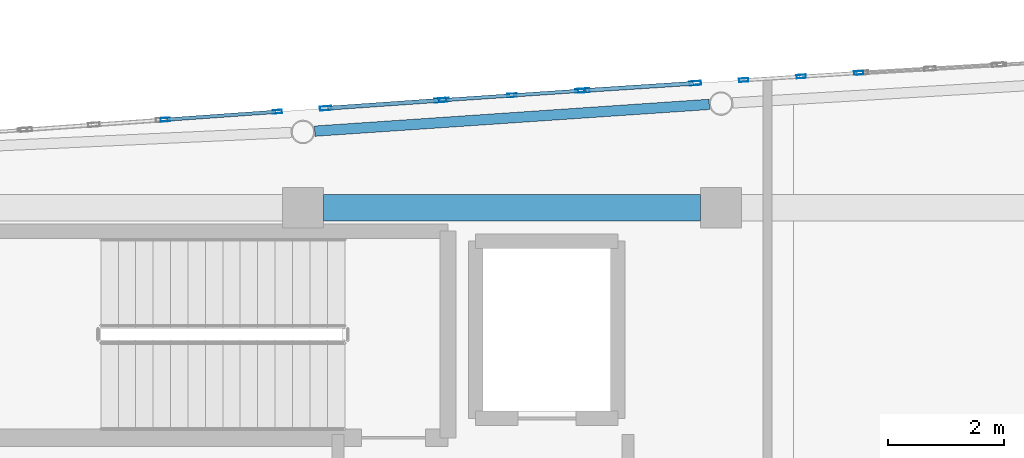
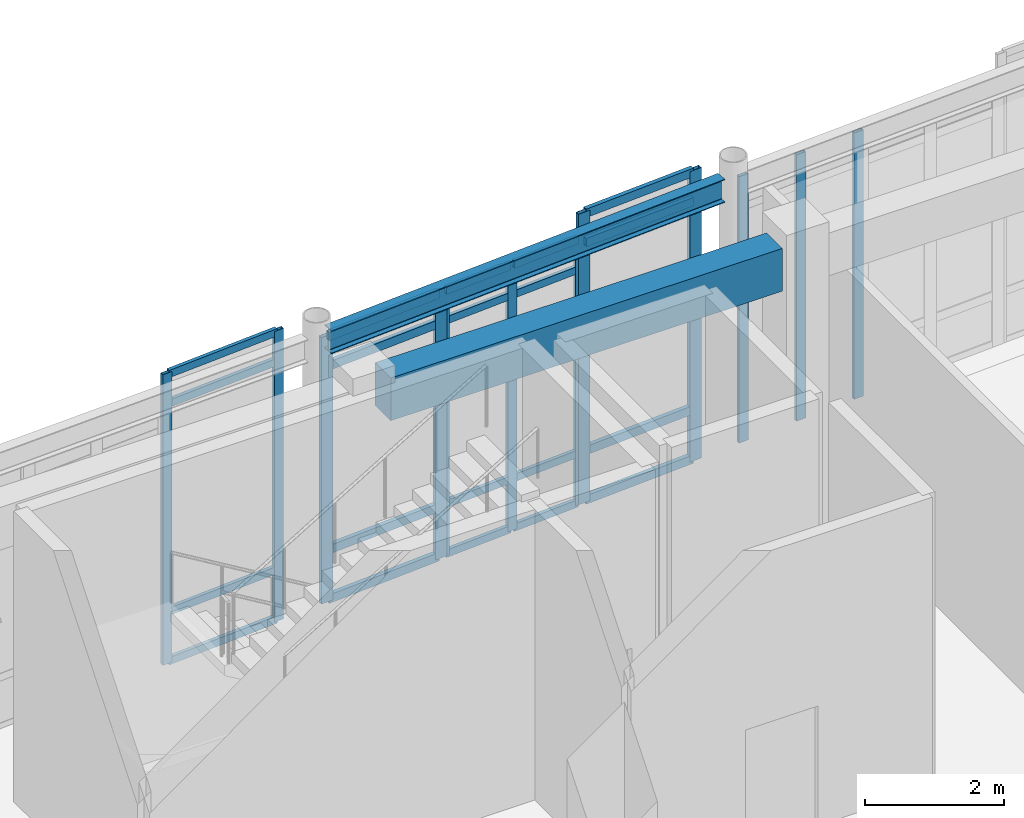
# One storey, part 30 of 102: 32 members, 2 beams, 5 elements without a shape of their own.
"""IFC4 building model written with IfcOpenShell, lengths in metres."""

from ifc_helpers import new_model, si_unit, direction, frame, origin, origin_2d, place, context, subcontext, project, spatial, rectangle, hollow_rectangle, i_section, extrude, material, layer, layer_set, material_profile, profile_set, type_object, element, aggregate, save


model = new_model("IFC4")

# Units and contexts
model_context = context("Model", 3, precision=1e-05, world=origin(), true_north=direction((0.0, 1.0)))
body_context = subcontext(model_context, "Body", "Model", "MODEL_VIEW")
ifc_project = project(units=[si_unit("LENGTHUNIT", "METRE"), si_unit("AREAUNIT", "SQUARE_METRE"), si_unit("VOLUMEUNIT", "CUBIC_METRE"), si_unit("PLANEANGLEUNIT", "RADIAN"), si_unit("MASSUNIT", "GRAM", prefix="KILO")], contexts=[model_context])

# Site, building, storey
site_placement = place(None, origin())
site = spatial("IfcSite", under=ifc_project, at=site_placement, CompositionType="ELEMENT")
building_placement = place(site_placement, origin())
building = spatial("IfcBuilding", under=site, at=building_placement, Name="Carrowvane Square Congress Hotel", CompositionType="ELEMENT")
storey_placement = place(building_placement, origin())
storey = spatial("IfcBuildingStorey", under=building, at=storey_placement, Name="L00", CompositionType="ELEMENT", Elevation=0.0)

# Beams
ifc_material_1 = material(Name="Concrete C35/45", Category="concrete")
ifc_material_profile_1 = material_profile(ifc_material_1, rectangle(XDim=0.449951171875, YDim=0.75, at=origin_2d()), Name="RC 450x750")
ifc_profile_set_1 = profile_set([ifc_material_profile_1], Name="Concrete C35/45")
beam_type_1 = type_object("IfcBeamType", Name="BM-RC-450x750", PredefinedType="USERDEFINED", material=ifc_profile_set_1)
beam_1_placement = place(storey_placement, frame((62.35009765625, 113.39990234375, 4.72509765625), z_axis=(1.0, 0.0, 0.0), x_axis=(0.0, 1.0, 0.0)))
element("IfcBeam", 1, at=beam_1_placement, inside=storey, type_object=beam_type_1, Name="L01 girder R/8-9", ObjectType="GIRDER", PredefinedType="USERDEFINED", context=body_context, shape_type="SweptSolid", body=[
    extrude(rectangle(XDim=0.449951171875, YDim=0.75, at=origin_2d()), origin(), (0.0, 0.0, 1.0), 6.5),
])
ifc_material_2 = material(Name="Steel S355", Category="steel")
ifc_material_profile_2 = material_profile(ifc_material_2, i_section(OverallWidth=0.1787109375, OverallDepth=0.409423828125, WebThickness=0.0087890625, FlangeThickness=0.014404296875, FilletRadius=0.01025390625, at=origin_2d()), Name="UKB 406x178x67")
ifc_profile_set_2 = profile_set([ifc_material_profile_2], Name="Steel S355")
beam_type_2 = type_object("IfcBeamType", Name="BM-ST-UKB406", PredefinedType="BEAM", material=ifc_profile_set_2)
beam_2_placement = place(storey_placement, frame((62.20263671875, 114.7197265625, 4.895263671875), z_axis=(0.997706912919, 0.067682463857, 0.0), x_axis=(-0.067682463857, 0.997706912919, 0.0)))
element("IfcBeam", 2, at=beam_2_placement, inside=storey, type_object=beam_type_2, Name="L01 curved north spandrel", PredefinedType="BEAM", context=body_context, shape_type="SweptSolid", body=[
    extrude(i_section(OverallWidth=0.1787109375, OverallDepth=0.409423828125, WebThickness=0.0087890625, FlangeThickness=0.014404296875, FilletRadius=0.01025390625, at=origin_2d()), origin(), (0.0, 0.0, 1.0), 6.810302734375),
])

# Curtain wall, members
ifc_material_3 = material(Name="Anodised aluminium", Category="aluminium")
ifc_layer_1 = layer(ifc_material_3, 0.18603515625)
ifc_layer_set_1 = layer_set([ifc_layer_1], Name="Anodised aluminium")
curtain_wall_type_1 = type_object("IfcCurtainWallType", Name="CW-SYS-3", PredefinedType="NOTDEFINED", material=ifc_layer_set_1)
curtain_wall_1_placement = place(storey_placement, origin())
curtain_wall_1 = element("IfcCurtainWall", 3, at=curtain_wall_1_placement, inside=storey, type_object=curtain_wall_type_1, Name="L00 unitised curtain wall 10", PredefinedType="NOTDEFINED")
ifc_material_4 = material(Name="Anodised aluminium", Category="aluminium")
ifc_material_profile_3 = material_profile(ifc_material_4, hollow_rectangle(XDim=0.06005859375, YDim=0.159912109375, WallThickness=0.00390625, at=origin_2d()), Name="CW-ML 60x160x4")
ifc_profile_set_3 = profile_set([ifc_material_profile_3], Name="Anodised aluminium")
member_type_1 = type_object("IfcMemberType", Name="CW-MUL-1", PredefinedType="MULLION", material=ifc_profile_set_3)
member_1_placement = place(storey_placement, frame((59.6298828125, 114.91748046875, 0.0), z_axis=(0.0, 0.0, 1.0), x_axis=(-0.070960217342, 0.997479146426, 0.0)))
member_1 = element("IfcMember", 4, at=member_1_placement, type_object=member_type_1, Name="CW-3 mullion 1", PredefinedType="MULLION", context=body_context, shape_type="SweptSolid", body=[
    extrude(hollow_rectangle(XDim=0.06005859375, YDim=0.159912109375, WallThickness=0.00390625, at=origin_2d()), origin(), (0.0, 0.0, 1.0), 5.10009765625),
])
member_2_placement = place(storey_placement, frame((61.5595703125, 115.0546875, 0.0), z_axis=(0.0, 0.0, 1.0), x_axis=(-0.070960217342, 0.997479146426, 0.0)))
member_2 = element("IfcMember", 5, at=member_2_placement, type_object=member_type_1, Name="CW-3 mullion 2", PredefinedType="MULLION", context=body_context, shape_type="SweptSolid", body=[
    extrude(hollow_rectangle(XDim=0.06005859375, YDim=0.159912109375, WallThickness=0.00390625, at=origin_2d()), origin(), (0.0, 0.0, 1.0), 5.10009765625),
])

ifc_material_5 = material(Name="Anodised aluminium", Category="aluminium")
ifc_layer_2 = layer(ifc_material_5, 0.2099609375)
ifc_layer_set_2 = layer_set([ifc_layer_2], Name="Anodised aluminium")
curtain_wall_type_2 = type_object("IfcCurtainWallType", Name="CW-SYS-5", PredefinedType="NOTDEFINED", material=ifc_layer_set_2)
curtain_wall_2_placement = place(storey_placement, origin())
curtain_wall_2 = element("IfcCurtainWall", 6, at=curtain_wall_2_placement, inside=storey, type_object=curtain_wall_type_2, Name="L00 unitised curtain wall 12", PredefinedType="NOTDEFINED")
member_3_placement = place(storey_placement, frame((64.429931640625, 115.255859375, 0.0), z_axis=(0.0, 0.0, 1.0), x_axis=(-0.067865424104, 0.997694484404, 0.0)))
member_3 = element("IfcMember", 7, at=member_3_placement, type_object=member_type_1, Name="CW-5 mullion 1", PredefinedType="MULLION", context=body_context, shape_type="SweptSolid", body=[
    extrude(hollow_rectangle(XDim=0.06005859375, YDim=0.159912109375, WallThickness=0.00390625, at=origin_2d()), origin(), (0.0, 0.0, 1.0), 4.675537109375),
])
member_4_placement = place(storey_placement, frame((65.599853515625, 115.33544921875, 0.0), z_axis=(0.0, 0.0, 1.0), x_axis=(-0.067865424104, 0.997694484404, 0.0)))
member_4 = element("IfcMember", 8, at=member_4_placement, type_object=member_type_1, Name="CW-5 mullion 2", PredefinedType="MULLION", context=body_context, shape_type="SweptSolid", body=[
    extrude(hollow_rectangle(XDim=0.06005859375, YDim=0.159912109375, WallThickness=0.00390625, at=origin_2d()), origin(), (0.0, 0.0, 1.0), 4.675537109375),
])
member_5_placement = place(storey_placement, frame((66.77001953125, 115.4150390625, 0.0), z_axis=(0.0, 0.0, 1.0), x_axis=(-0.067865424104, 0.997694484404, 0.0)))
member_5 = element("IfcMember", 9, at=member_5_placement, type_object=member_type_1, Name="CW-5 mullion 3", PredefinedType="MULLION", context=body_context, shape_type="SweptSolid", body=[
    extrude(hollow_rectangle(XDim=0.06005859375, YDim=0.159912109375, WallThickness=0.00390625, at=origin_2d()), origin(), (0.0, 0.0, 1.0), 4.675537109375),
])

ifc_material_6 = material(Name="Anodised aluminium", Category="aluminium")
ifc_layer_3 = layer(ifc_material_6, 0.23388671875)
ifc_layer_set_3 = layer_set([ifc_layer_3], Name="Anodised aluminium")
curtain_wall_type_3 = type_object("IfcCurtainWallType", Name="CW-SYS-7", PredefinedType="NOTDEFINED", material=ifc_layer_set_3)
curtain_wall_3_placement = place(storey_placement, origin())
curtain_wall_3 = element("IfcCurtainWall", 10, at=curtain_wall_3_placement, inside=storey, type_object=curtain_wall_type_3, Name="L00 unitised curtain wall 14", PredefinedType="NOTDEFINED")
member_6_placement = place(storey_placement, frame((69.58984375, 115.5986328125, 0.0), z_axis=(0.0, 0.0, 1.0), x_axis=(-0.062397474952, 0.998051378998, 0.0)))
member_6 = element("IfcMember", 11, at=member_6_placement, type_object=member_type_1, Name="CW-7 mullion 1", PredefinedType="MULLION", context=body_context, shape_type="SweptSolid", body=[
    extrude(hollow_rectangle(XDim=0.06005859375, YDim=0.159912109375, WallThickness=0.00390625, at=origin_2d()), origin(), (0.0, 0.0, 1.0), 4.675537109375),
])
member_7_placement = place(storey_placement, frame((70.580078125, 115.66064453125, 0.0), z_axis=(0.0, 0.0, 1.0), x_axis=(-0.062397474952, 0.998051378998, 0.0)))
member_7 = element("IfcMember", 12, at=member_7_placement, type_object=member_type_1, Name="CW-7 mullion 2", PredefinedType="MULLION", context=body_context, shape_type="SweptSolid", body=[
    extrude(hollow_rectangle(XDim=0.06005859375, YDim=0.159912109375, WallThickness=0.00390625, at=origin_2d()), origin(), (0.0, 0.0, 1.0), 4.675537109375),
])
member_8_placement = place(storey_placement, frame((71.570068359375, 115.722412109375, 0.0), z_axis=(0.0, 0.0, 1.0), x_axis=(-0.062397474952, 0.998051378998, 0.0)))
member_8 = element("IfcMember", 13, at=member_8_placement, type_object=member_type_1, Name="CW-7 mullion 3", PredefinedType="MULLION", context=body_context, shape_type="SweptSolid", body=[
    extrude(hollow_rectangle(XDim=0.06005859375, YDim=0.159912109375, WallThickness=0.00390625, at=origin_2d()), origin(), (0.0, 0.0, 1.0), 4.675537109375),
])
aggregate(curtain_wall_3, [member_6, member_7, member_8])

ifc_material_7 = material(Name="Anodised aluminium", Category="aluminium")
ifc_layer_4 = layer(ifc_material_7, 0.197998046875)
ifc_layer_set_4 = layer_set([ifc_layer_4], Name="Anodised aluminium")
curtain_wall_type_4 = type_object("IfcCurtainWallType", Name="CW-SYS-4", PredefinedType="NOTDEFINED", material=ifc_layer_set_4)
curtain_wall_4_placement = place(storey_placement, origin())
curtain_wall_4 = element("IfcCurtainWall", 14, at=curtain_wall_4_placement, inside=storey, type_object=curtain_wall_type_4, Name="L00 unitised curtain wall 11", PredefinedType="NOTDEFINED")
ifc_material_8 = material(Name="Anodised aluminium", Category="aluminium")
ifc_material_profile_4 = material_profile(ifc_material_8, hollow_rectangle(XDim=0.070068359375, YDim=0.199951171875, WallThickness=0.0048828125, at=origin_2d()), Name="CW-ML 70x200x5")
ifc_profile_set_4 = profile_set([ifc_material_profile_4], Name="Anodised aluminium")
member_type_2 = type_object("IfcMemberType", Name="CW-MUL-2", PredefinedType="MULLION", material=ifc_profile_set_4)
member_9_placement = place(storey_placement, frame((62.39208984375, 115.11328125, 0.0), z_axis=(0.0, 0.0, 1.0), x_axis=(-0.069723822092, 0.997566332949, 0.0)))
member_9 = element("IfcMember", 15, at=member_9_placement, type_object=member_type_2, Name="CW-4 mullion 1", PredefinedType="MULLION", context=body_context, shape_type="SweptSolid", body=[
    extrude(hollow_rectangle(XDim=0.070068359375, YDim=0.199951171875, WallThickness=0.0048828125, at=origin_2d()), origin(), (0.0, 0.0, 1.0), 4.675537109375),
])
member_10_placement = place(storey_placement, frame((64.365234375, 115.251220703125, 0.0), z_axis=(0.0, 0.0, 1.0), x_axis=(-0.069723822092, 0.997566332949, 0.0)))
member_10 = element("IfcMember", 16, at=member_10_placement, type_object=member_type_2, Name="CW-4 mullion 2", PredefinedType="MULLION", context=body_context, shape_type="SweptSolid", body=[
    extrude(hollow_rectangle(XDim=0.070068359375, YDim=0.199951171875, WallThickness=0.0048828125, at=origin_2d()), origin(), (0.0, 0.0, 1.0), 4.675537109375),
])

ifc_material_9 = material(Name="Anodised aluminium", Category="aluminium")
ifc_layer_5 = layer(ifc_material_9, 0.221923828125)
ifc_layer_set_5 = layer_set([ifc_layer_5], Name="Anodised aluminium")
curtain_wall_type_5 = type_object("IfcCurtainWallType", Name="CW-SYS-6", PredefinedType="NOTDEFINED", material=ifc_layer_set_5)
curtain_wall_5_placement = place(storey_placement, origin())
curtain_wall_5 = element("IfcCurtainWall", 17, at=curtain_wall_5_placement, inside=storey, type_object=curtain_wall_type_5, Name="L00 unitised curtain wall 13", PredefinedType="NOTDEFINED")
member_11_placement = place(storey_placement, frame((66.8349609375, 115.419189453125, 0.0), z_axis=(0.0, 0.0, 1.0), x_axis=(-0.065412223074, 0.997858327155, 0.0)))
member_11 = element("IfcMember", 18, at=member_11_placement, type_object=member_type_2, Name="CW-6 mullion 1", PredefinedType="MULLION", context=body_context, shape_type="SweptSolid", body=[
    extrude(hollow_rectangle(XDim=0.070068359375, YDim=0.199951171875, WallThickness=0.0048828125, at=origin_2d()), origin(), (0.0, 0.0, 1.0), 5.10009765625),
])
member_12_placement = place(storey_placement, frame((68.756591796875, 115.545166015625, 0.0), z_axis=(0.0, 0.0, 1.0), x_axis=(-0.065412223074, 0.997858327155, 0.0)))
member_12 = element("IfcMember", 19, at=member_12_placement, type_object=member_type_2, Name="CW-6 mullion 2", PredefinedType="MULLION", context=body_context, shape_type="SweptSolid", body=[
    extrude(hollow_rectangle(XDim=0.070068359375, YDim=0.199951171875, WallThickness=0.0048828125, at=origin_2d()), origin(), (0.0, 0.0, 1.0), 5.10009765625),
])

# Member
ifc_material_10 = material(Name="Anodised aluminium", Category="aluminium")
ifc_material_profile_5 = material_profile(ifc_material_10, hollow_rectangle(XDim=0.06005859375, YDim=0.1298828125, WallThickness=0.00390625, at=origin_2d()), Name="CW-TR 60x130x4")
ifc_profile_set_5 = profile_set([ifc_material_profile_5], Name="Anodised aluminium")
member_type_3 = type_object("IfcMemberType", Name="CW-TRN-1", PredefinedType="USERDEFINED", material=ifc_profile_set_5)
member_13_placement = place(storey_placement, frame((59.659912109375, 114.91943359375, 0.030029296875), z_axis=(0.997477179268, 0.070987864025, 0.0), x_axis=(-0.070987864025, 0.997477179268, 0.0)))
member_13 = element("IfcMember", 20, at=member_13_placement, type_object=member_type_3, Name="CW-3 transom 1.1", ObjectType="TRANSOM", PredefinedType="USERDEFINED", context=body_context, shape_type="SweptSolid", body=[
    extrude(hollow_rectangle(XDim=0.06005859375, YDim=0.1298828125, WallThickness=0.00390625, at=origin_2d()), origin(), (0.0, 0.0, 1.0), 1.874267578125),
])

member_14_placement = place(storey_placement, frame((59.659912109375, 114.91943359375, 0.89990234375), z_axis=(0.997477179268, 0.070987864025, 0.0), x_axis=(-0.070987864025, 0.997477179268, 0.0)))
member_14 = element("IfcMember", 21, at=member_14_placement, type_object=member_type_3, Name="CW-3 transom 1.2", ObjectType="TRANSOM", PredefinedType="USERDEFINED", context=body_context, shape_type="SweptSolid", body=[
    extrude(hollow_rectangle(XDim=0.06005859375, YDim=0.1298828125, WallThickness=0.00390625, at=origin_2d()), origin(), (0.0, 0.0, 1.0), 1.874267578125),
])

member_15_placement = place(storey_placement, frame((59.659912109375, 114.91943359375, 4.550048828125), z_axis=(0.997477179268, 0.070987864025, 0.0), x_axis=(-0.070987864025, 0.997477179268, 0.0)))
member_15 = element("IfcMember", 22, at=member_15_placement, type_object=member_type_3, Name="CW-3 transom 1.3", ObjectType="TRANSOM", PredefinedType="USERDEFINED", context=body_context, shape_type="SweptSolid", body=[
    extrude(hollow_rectangle(XDim=0.06005859375, YDim=0.1298828125, WallThickness=0.00390625, at=origin_2d()), origin(), (0.0, 0.0, 1.0), 1.874267578125),
])

member_16_placement = place(storey_placement, frame((59.659912109375, 114.91943359375, 5.070068359375), z_axis=(0.997477179268, 0.070987864025, 0.0), x_axis=(-0.070987864025, 0.997477179268, 0.0)))
member_16 = element("IfcMember", 23, at=member_16_placement, type_object=member_type_3, Name="CW-3 transom 1.4", ObjectType="TRANSOM", PredefinedType="USERDEFINED", context=body_context, shape_type="SweptSolid", body=[
    extrude(hollow_rectangle(XDim=0.06005859375, YDim=0.1298828125, WallThickness=0.00390625, at=origin_2d()), origin(), (0.0, 0.0, 1.0), 1.874267578125),
])

aggregate(curtain_wall_1, [member_1, member_2, member_13, member_14, member_15, member_16])

member_17_placement = place(storey_placement, frame((64.4599609375, 115.2578125, 0.030029296875), z_axis=(0.997698897284, 0.067800518861, 0.0), x_axis=(-0.067800518861, 0.997698897284, 0.0)))
member_17 = element("IfcMember", 24, at=member_17_placement, type_object=member_type_3, Name="CW-5 transom 1.1", ObjectType="TRANSOM", PredefinedType="USERDEFINED", context=body_context, shape_type="SweptSolid", body=[
    extrude(hollow_rectangle(XDim=0.06005859375, YDim=0.1298828125, WallThickness=0.00390625, at=origin_2d()), origin(), (0.0, 0.0, 1.0), 1.112548828125),
])

member_18_placement = place(storey_placement, frame((64.4599609375, 115.2578125, 0.89990234375), z_axis=(0.997698897284, 0.067800518861, 0.0), x_axis=(-0.067800518861, 0.997698897284, 0.0)))
member_18 = element("IfcMember", 25, at=member_18_placement, type_object=member_type_3, Name="CW-5 transom 1.2", ObjectType="TRANSOM", PredefinedType="USERDEFINED", context=body_context, shape_type="SweptSolid", body=[
    extrude(hollow_rectangle(XDim=0.06005859375, YDim=0.1298828125, WallThickness=0.00390625, at=origin_2d()), origin(), (0.0, 0.0, 1.0), 1.112548828125),
])

member_19_placement = place(storey_placement, frame((64.4599609375, 115.2578125, 4.12548828125), z_axis=(0.997698897284, 0.067800518861, 0.0), x_axis=(-0.067800518861, 0.997698897284, 0.0)))
member_19 = element("IfcMember", 26, at=member_19_placement, type_object=member_type_3, Name="CW-5 transom 1.3", ObjectType="TRANSOM", PredefinedType="USERDEFINED", context=body_context, shape_type="SweptSolid", body=[
    extrude(hollow_rectangle(XDim=0.06005859375, YDim=0.1298828125, WallThickness=0.00390625, at=origin_2d()), origin(), (0.0, 0.0, 1.0), 1.112548828125),
])

member_20_placement = place(storey_placement, frame((64.4599609375, 115.2578125, 4.6455078125), z_axis=(0.997698897284, 0.067800518861, 0.0), x_axis=(-0.067800518861, 0.997698897284, 0.0)))
member_20 = element("IfcMember", 27, at=member_20_placement, type_object=member_type_3, Name="CW-5 transom 1.4", ObjectType="TRANSOM", PredefinedType="USERDEFINED", context=body_context, shape_type="SweptSolid", body=[
    extrude(hollow_rectangle(XDim=0.06005859375, YDim=0.1298828125, WallThickness=0.00390625, at=origin_2d()), origin(), (0.0, 0.0, 1.0), 1.112548828125),
])

member_21_placement = place(storey_placement, frame((65.6298828125, 115.33740234375, 0.030029296875), z_axis=(0.997698897284, 0.067800518861, 0.0), x_axis=(-0.067800518861, 0.997698897284, 0.0)))
member_21 = element("IfcMember", 28, at=member_21_placement, type_object=member_type_3, Name="CW-5 transom 2.1", ObjectType="TRANSOM", PredefinedType="USERDEFINED", context=body_context, shape_type="SweptSolid", body=[
    extrude(hollow_rectangle(XDim=0.06005859375, YDim=0.1298828125, WallThickness=0.00390625, at=origin_2d()), origin(), (0.0, 0.0, 1.0), 1.112548828125),
])

member_22_placement = place(storey_placement, frame((65.6298828125, 115.33740234375, 0.89990234375), z_axis=(0.997698897284, 0.067800518861, 0.0), x_axis=(-0.067800518861, 0.997698897284, 0.0)))
member_22 = element("IfcMember", 29, at=member_22_placement, type_object=member_type_3, Name="CW-5 transom 2.2", ObjectType="TRANSOM", PredefinedType="USERDEFINED", context=body_context, shape_type="SweptSolid", body=[
    extrude(hollow_rectangle(XDim=0.06005859375, YDim=0.1298828125, WallThickness=0.00390625, at=origin_2d()), origin(), (0.0, 0.0, 1.0), 1.112548828125),
])

member_23_placement = place(storey_placement, frame((65.6298828125, 115.33740234375, 4.12548828125), z_axis=(0.997698897284, 0.067800518861, 0.0), x_axis=(-0.067800518861, 0.997698897284, 0.0)))
member_23 = element("IfcMember", 30, at=member_23_placement, type_object=member_type_3, Name="CW-5 transom 2.3", ObjectType="TRANSOM", PredefinedType="USERDEFINED", context=body_context, shape_type="SweptSolid", body=[
    extrude(hollow_rectangle(XDim=0.06005859375, YDim=0.1298828125, WallThickness=0.00390625, at=origin_2d()), origin(), (0.0, 0.0, 1.0), 1.112548828125),
])

member_24_placement = place(storey_placement, frame((65.6298828125, 115.33740234375, 4.6455078125), z_axis=(0.997698897284, 0.067800518861, 0.0), x_axis=(-0.067800518861, 0.997698897284, 0.0)))
member_24 = element("IfcMember", 31, at=member_24_placement, type_object=member_type_3, Name="CW-5 transom 2.4", ObjectType="TRANSOM", PredefinedType="USERDEFINED", context=body_context, shape_type="SweptSolid", body=[
    extrude(hollow_rectangle(XDim=0.06005859375, YDim=0.1298828125, WallThickness=0.00390625, at=origin_2d()), origin(), (0.0, 0.0, 1.0), 1.112548828125),
])

aggregate(curtain_wall_2, [member_3, member_4, member_5, member_17, member_18, member_19, member_20, member_21, member_22, member_23, member_24])

ifc_material_11 = material(Name="Anodised aluminium", Category="aluminium")
ifc_material_profile_6 = material_profile(ifc_material_11, hollow_rectangle(XDim=0.070068359375, YDim=0.14990234375, WallThickness=0.0048828125, at=origin_2d()), Name="CW-TR 70x150x5")
ifc_profile_set_6 = profile_set([ifc_material_profile_6], Name="Anodised aluminium")
member_type_4 = type_object("IfcMemberType", Name="CW-TRN-2", PredefinedType="USERDEFINED", material=ifc_profile_set_6)
member_25_placement = place(storey_placement, frame((62.427001953125, 115.11572265625, 0.034912109375), z_axis=(0.997565380596, 0.069737446437, 0.0), x_axis=(-0.069737446437, 0.997565380596, 0.0)))
member_25 = element("IfcMember", 32, at=member_25_placement, type_object=member_type_4, Name="CW-4 transom 1.1", ObjectType="TRANSOM", PredefinedType="USERDEFINED", context=body_context, shape_type="SweptSolid", body=[
    extrude(hollow_rectangle(XDim=0.070068359375, YDim=0.14990234375, WallThickness=0.0048828125, at=origin_2d()), origin(), (0.0, 0.0, 1.0), 1.907958984375),
])

member_26_placement = place(storey_placement, frame((62.427001953125, 115.11572265625, 0.89990234375), z_axis=(0.997565380596, 0.069737446437, 0.0), x_axis=(-0.069737446437, 0.997565380596, 0.0)))
member_26 = element("IfcMember", 33, at=member_26_placement, type_object=member_type_4, Name="CW-4 transom 1.2", ObjectType="TRANSOM", PredefinedType="USERDEFINED", context=body_context, shape_type="SweptSolid", body=[
    extrude(hollow_rectangle(XDim=0.070068359375, YDim=0.14990234375, WallThickness=0.0048828125, at=origin_2d()), origin(), (0.0, 0.0, 1.0), 1.907958984375),
])

member_27_placement = place(storey_placement, frame((62.427001953125, 115.11572265625, 4.12548828125), z_axis=(0.997565380596, 0.069737446437, 0.0), x_axis=(-0.069737446437, 0.997565380596, 0.0)))
member_27 = element("IfcMember", 34, at=member_27_placement, type_object=member_type_4, Name="CW-4 transom 1.3", ObjectType="TRANSOM", PredefinedType="USERDEFINED", context=body_context, shape_type="SweptSolid", body=[
    extrude(hollow_rectangle(XDim=0.070068359375, YDim=0.14990234375, WallThickness=0.0048828125, at=origin_2d()), origin(), (0.0, 0.0, 1.0), 1.907958984375),
])

member_28_placement = place(storey_placement, frame((62.427001953125, 115.11572265625, 4.640625), z_axis=(0.997565380596, 0.069737446437, 0.0), x_axis=(-0.069737446437, 0.997565380596, 0.0)))
member_28 = element("IfcMember", 35, at=member_28_placement, type_object=member_type_4, Name="CW-4 transom 1.4", ObjectType="TRANSOM", PredefinedType="USERDEFINED", context=body_context, shape_type="SweptSolid", body=[
    extrude(hollow_rectangle(XDim=0.070068359375, YDim=0.14990234375, WallThickness=0.0048828125, at=origin_2d()), origin(), (0.0, 0.0, 1.0), 1.907958984375),
])

aggregate(curtain_wall_4, [member_9, member_10, member_25, member_26, member_27, member_28])

member_29_placement = place(storey_placement, frame((66.869873046875, 115.421630859375, 0.034912109375), z_axis=(0.997860186588, 0.065383851382, 0.0), x_axis=(-0.065383851382, 0.997860186588, 0.0)))
member_29 = element("IfcMember", 36, at=member_29_placement, type_object=member_type_4, Name="CW-6 transom 1.1", ObjectType="TRANSOM", PredefinedType="USERDEFINED", context=body_context, shape_type="SweptSolid", body=[
    extrude(hollow_rectangle(XDim=0.070068359375, YDim=0.14990234375, WallThickness=0.0048828125, at=origin_2d()), origin(), (0.0, 0.0, 1.0), 1.855712890625),
])

member_30_placement = place(storey_placement, frame((66.869873046875, 115.421630859375, 0.89990234375), z_axis=(0.997860186588, 0.065383851382, 0.0), x_axis=(-0.065383851382, 0.997860186588, 0.0)))
member_30 = element("IfcMember", 37, at=member_30_placement, type_object=member_type_4, Name="CW-6 transom 1.2", ObjectType="TRANSOM", PredefinedType="USERDEFINED", context=body_context, shape_type="SweptSolid", body=[
    extrude(hollow_rectangle(XDim=0.070068359375, YDim=0.14990234375, WallThickness=0.0048828125, at=origin_2d()), origin(), (0.0, 0.0, 1.0), 1.855712890625),
])

member_31_placement = place(storey_placement, frame((66.869873046875, 115.421630859375, 4.550048828125), z_axis=(0.997860186588, 0.065383851382, 0.0), x_axis=(-0.065383851382, 0.997860186588, 0.0)))
member_31 = element("IfcMember", 38, at=member_31_placement, type_object=member_type_4, Name="CW-6 transom 1.3", ObjectType="TRANSOM", PredefinedType="USERDEFINED", context=body_context, shape_type="SweptSolid", body=[
    extrude(hollow_rectangle(XDim=0.070068359375, YDim=0.14990234375, WallThickness=0.0048828125, at=origin_2d()), origin(), (0.0, 0.0, 1.0), 1.855712890625),
])

member_32_placement = place(storey_placement, frame((66.869873046875, 115.421630859375, 5.06494140625), z_axis=(0.997860186588, 0.065383851382, 0.0), x_axis=(-0.065383851382, 0.997860186588, 0.0)))
member_32 = element("IfcMember", 39, at=member_32_placement, type_object=member_type_4, Name="CW-6 transom 1.4", ObjectType="TRANSOM", PredefinedType="USERDEFINED", context=body_context, shape_type="SweptSolid", body=[
    extrude(hollow_rectangle(XDim=0.070068359375, YDim=0.14990234375, WallThickness=0.0048828125, at=origin_2d()), origin(), (0.0, 0.0, 1.0), 1.855712890625),
])

aggregate(curtain_wall_5, [member_11, member_12, member_29, member_30, member_31, member_32])

save(model, "model.ifc")
